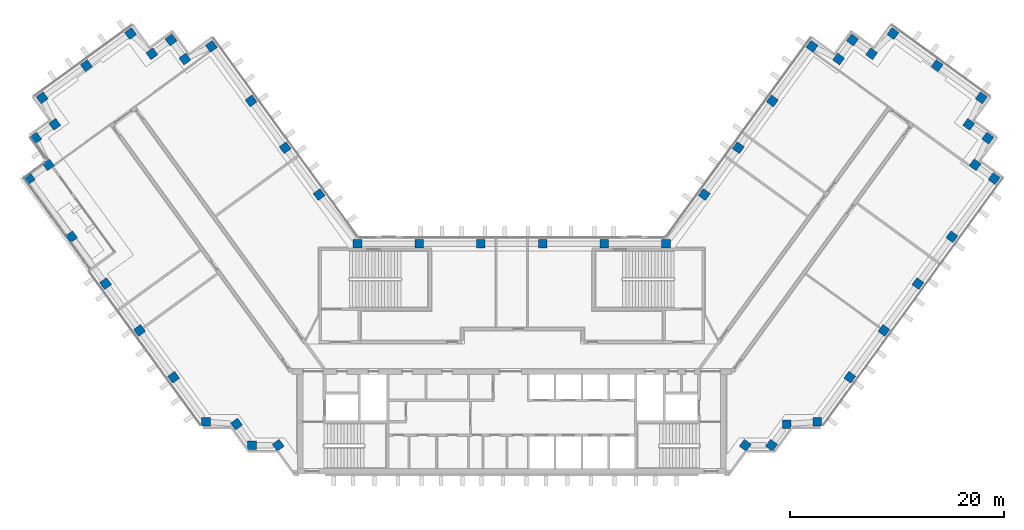
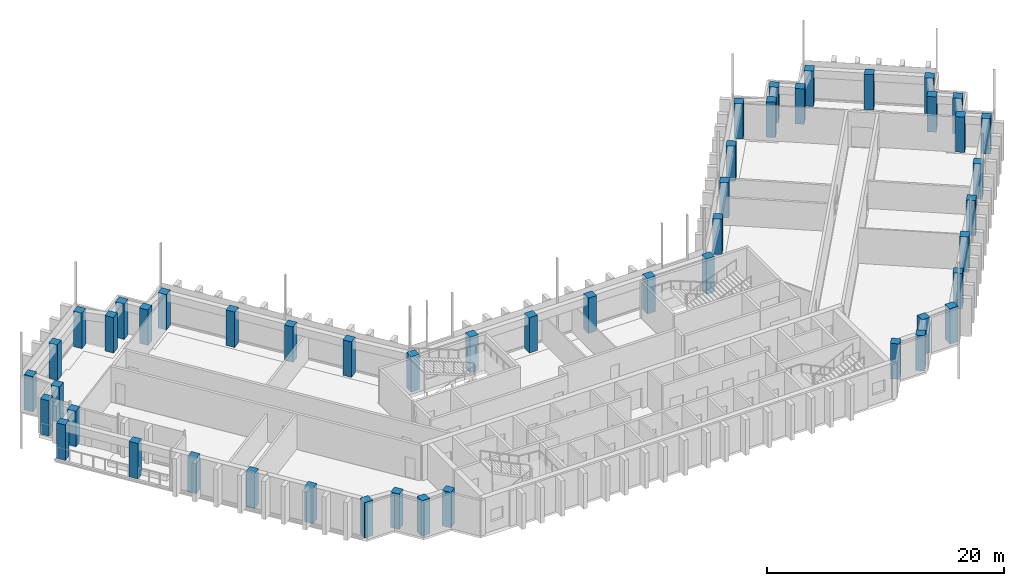
# One storey, part 1 of 13: 50 columns.
"""IFC4 building model written with IfcOpenShell, lengths in metres."""

from ifc_helpers import new_model, si_unit, direction, frame, origin, origin_2d, place, context, subcontext, project, spatial, rectangle, extrude, material, material_profile, profile_set, type_object, element, save


model = new_model("IFC4")

# Units and contexts
model_context = context("Model", 3, precision=1e-05, world=origin(), true_north=direction((0.0, 1.0)))
body_context = subcontext(model_context, "Body", "Model", "MODEL_VIEW")
ifc_project = project(units=[si_unit("LENGTHUNIT", "METRE"), si_unit("AREAUNIT", "SQUARE_METRE"), si_unit("VOLUMEUNIT", "CUBIC_METRE"), si_unit("PLANEANGLEUNIT", "RADIAN"), si_unit("MASSUNIT", "GRAM", prefix="KILO")], contexts=[model_context])

# Site, building, storey
site_placement = place(None, origin())
site = spatial("IfcSite", under=ifc_project, at=site_placement, CompositionType="ELEMENT")
building_placement = place(site_placement, origin())
building = spatial("IfcBuilding", under=site, at=building_placement, Name="Quipu Civic Tower", CompositionType="ELEMENT")
storey_placement = place(building_placement, frame((0.0, 0.0, 148.0)))
storey = spatial("IfcBuildingStorey", under=building, at=storey_placement, Name="L34", CompositionType="ELEMENT", Elevation=148.0)

# Columns
ifc_material = material(Name="Concrete C60/75", Category="concrete")
ifc_material_profile = material_profile(ifc_material, rectangle(XDim=0.800048828125, YDim=0.800048828125, at=origin_2d()), Name="RC800x800")
ifc_profile_set = profile_set([ifc_material_profile], Name="Concrete C60/75")
column_type = type_object("IfcColumnType", Name="Perimeter column RC 800x800 C60/75", PredefinedType="COLUMN", material=ifc_profile_set)
for number, where, z_axis, x_axis, name in (
    (1, (-17.9736328125, 15.074951171875, 0.0), (0.0, 0.0, 1.0), (-0.587785252292, 0.809016994375, 0.0), "Column L34 W-IN-01"),
    (2, (-21.1474609375, 19.44384765625, 0.0), (0.0, 0.0, 1.0), (-0.587785252292, 0.809016994375, 0.0), "Column L34 W-IN-02"),
    (3, (-24.3212890625, 23.8125, 0.0), (0.0, 0.0, 1.0), (-0.587785252292, 0.809016994375, 0.0), "Column L34 W-IN-03"),
    (4, (-28.02001953125, 28.905029296875, 0.0), (0.0, 0.0, 1.0), (-0.809016994375, -0.587785252292, 0.0), "Column L34 T-Wi.0-W34"),
    (5, (-30.498779296875, 27.72265625, 0.0), (0.0, 0.0, 1.0), (-0.809016994375, -0.587785252292, 0.0), "Column L34 T-Wi.1-W34"),
    (6, (-31.794921875, 29.5, 0.0), (0.0, 0.0, 1.0), (-0.587785252292, 0.809016994375, 0.0), "Column L34 T-Wi.2-W34"),
    (7, (-33.573974609375, 28.20947265625, 0.0), (0.0, 0.0, 1.0), (-0.587785252292, 0.809016994375, 0.0), "Column L34 T-Wi.3-W34"),
    (8, (-35.56494140625, 30.10009765625, 0.0), (0.0, 0.0, 1.0), (-0.809016994375, -0.587785252292, 0.0), "Column L34 T-Wi.4-W34"),
    (9, (-39.690673828125, 27.10205078125, 0.0), (0.0, 0.0, 1.0), (-0.809016994375, -0.587785252292, 0.0), "Column L34 TIP-W-01-W34"),
    (10, (-43.81494140625, 24.10498046875, 0.0), (0.0, 0.0, 1.0), (-0.809016994375, -0.587785252292, 0.0), "Column L34 T-Wo.0-W34"),
    (11, (-42.635009765625, 21.626220703125, 0.0), (0.0, 0.0, 1.0), (-0.809016994375, -0.587785252292, 0.0), "Column L34 T-Wo.1-W34"),
    (12, (-44.4150390625, 20.3349609375, 0.0), (0.0, 0.0, 1.0), (0.587785252292, -0.809016994375, 0.0), "Column L34 T-Wo.2-W34"),
    (13, (-43.23095703125, 17.8544921875, 0.0), (0.0, 0.0, 1.0), (0.587785252292, -0.809016994375, 0.0), "Column L34 T-Wo.3-W34"),
    (14, (-45.010009765625, 16.56005859375, 0.0), (0.0, 0.0, 1.0), (0.587785252292, -0.809016994375, 0.0), "Column L34 T-Wo.4-W34"),
    (15, (-41.0703125, 11.137451171875, 0.0), (0.0, 0.0, 1.0), (0.587785252292, -0.809016994375, 0.0), "Column L34 W-OUT-04"),
    (16, (-37.896240234375, 6.768798828125, 0.0), (0.0, 0.0, 1.0), (0.587785252292, -0.809016994375, 0.0), "Column L34 W-OUT-03"),
    (17, (-34.722412109375, 2.39990234375, 0.0), (0.0, 0.0, 1.0), (0.587785252292, -0.809016994375, 0.0), "Column L34 W-OUT-02"),
    (18, (-31.54833984375, -1.96875, 0.0), (0.0, 0.0, 1.0), (0.587785252292, -0.809016994375, 0.0), "Column L34 W-OUT-01"),
    (19, (-28.52490234375, -6.1298828125, 0.0), (0.0, 0.0, 1.0), (1.0, 0.0, 0.0), "Column L34 J-Wo.0"),
    (20, (-25.67431640625, -6.3369140625, 0.0), (0.0, 0.0, 1.0), (0.587785252292, -0.809016994375, 0.0), "Column L34 J-Wo.1"),
    (21, (-24.235107421875, -8.31494140625, 0.0), (0.0, 0.0, 1.0), (1.0, 0.0, 0.0), "Column L34 J-Wo.2"),
    (22, (-21.791748046875, -8.31494140625, 0.0), (0.0, 0.0, 1.0), (0.587785252292, -0.809016994375, 0.0), "Column L34 J-Wo.3"),
    (23, (21.791748046875, -8.31494140625, 0.0), (0.0, 0.0, 1.0), (0.587785252292, 0.809016994375, 0.0), "Column L34 J-Eo.1"),
    (24, (24.235107421875, -8.31494140625, 0.0), (0.0, 0.0, 1.0), (0.587785252292, 0.809016994375, 0.0), "Column L34 J-Eo.2"),
    (25, (25.67431640625, -6.3369140625, 0.0), (0.0, 0.0, 1.0), (1.0, 0.0, 0.0), "Column L34 J-Eo.3"),
    (26, (28.52490234375, -6.1298828125, 0.0), (0.0, 0.0, 1.0), (1.0, 0.0, 0.0), "Column L34 J-Eo.4"),
    (27, (31.54833984375, -1.96875, 0.0), (0.0, 0.0, 1.0), (0.587785252292, 0.809016994375, 0.0), "Column L34 E-OUT-01"),
    (28, (34.722412109375, 2.39990234375, 0.0), (0.0, 0.0, 1.0), (0.587785252292, 0.809016994375, 0.0), "Column L34 E-OUT-02"),
    (29, (37.896240234375, 6.768798828125, 0.0), (0.0, 0.0, 1.0), (0.587785252292, 0.809016994375, 0.0), "Column L34 E-OUT-03"),
    (30, (41.0703125, 11.137451171875, 0.0), (0.0, 0.0, 1.0), (0.587785252292, 0.809016994375, 0.0), "Column L34 E-OUT-04"),
    (31, (45.010009765625, 16.56005859375, 0.0), (0.0, 0.0, 1.0), (0.587785252292, 0.809016994375, 0.0), "Column L34 T-Eo.0-E34"),
    (32, (43.23095703125, 17.8544921875, 0.0), (0.0, 0.0, 1.0), (0.587785252292, 0.809016994375, 0.0), "Column L34 T-Eo.1-E34"),
    (33, (44.4150390625, 20.3349609375, 0.0), (0.0, 0.0, 1.0), (0.587785252292, 0.809016994375, 0.0), "Column L34 T-Eo.2-E34"),
    (34, (42.635009765625, 21.626220703125, 0.0), (0.0, 0.0, 1.0), (-0.809016994375, 0.587785252292, 0.0), "Column L34 T-Eo.3-E34"),
    (35, (43.81494140625, 24.10498046875, 0.0), (0.0, 0.0, 1.0), (-0.809016994375, 0.587785252292, 0.0), "Column L34 T-Eo.4-E34"),
    (36, (39.690673828125, 27.10205078125, 0.0), (0.0, 0.0, 1.0), (-0.809016994375, 0.587785252292, 0.0), "Column L34 TIP-E-01-E34"),
    (37, (35.56494140625, 30.10009765625, 0.0), (0.0, 0.0, 1.0), (-0.587785252292, -0.809016994375, 0.0), "Column L34 T-Ei.0-E34"),
    (38, (33.573974609375, 28.20947265625, 0.0), (0.0, 0.0, 1.0), (-0.809016994375, 0.587785252292, 0.0), "Column L34 T-Ei.1-E34"),
    (39, (31.794921875, 29.5, 0.0), (0.0, 0.0, 1.0), (-0.587785252292, -0.809016994375, 0.0), "Column L34 T-Ei.2-E34"),
    (40, (30.498779296875, 27.72265625, 0.0), (0.0, 0.0, 1.0), (-0.809016994375, 0.587785252292, 0.0), "Column L34 T-Ei.3-E34"),
    (41, (28.02001953125, 28.905029296875, 0.0), (0.0, 0.0, 1.0), (-0.809016994375, 0.587785252292, 0.0), "Column L34 T-Ei.4-E34"),
    (42, (24.3212890625, 23.8125, 0.0), (0.0, 0.0, 1.0), (-0.587785252292, -0.809016994375, 0.0), "Column L34 E-IN-03"),
    (43, (21.1474609375, 19.44384765625, 0.0), (0.0, 0.0, 1.0), (-0.587785252292, -0.809016994375, 0.0), "Column L34 E-IN-02"),
    (44, (17.9736328125, 15.074951171875, 0.0), (0.0, 0.0, 1.0), (-0.587785252292, -0.809016994375, 0.0), "Column L34 E-IN-01"),
    (45, (14.395263671875, 10.5, 0.0), (0.0, 0.0, 1.0), (-1.0, 0.0, 0.0), "Column L34 J-Ei.0"),
    (46, (8.63720703125, 10.5, 0.0), (0.0, 0.0, 1.0), (-1.0, 0.0, 0.0), "Column L34 FRONT-01"),
    (47, (2.87890625, 10.5, 0.0), (0.0, 0.0, 1.0), (-1.0, 0.0, 0.0), "Column L34 FRONT-02"),
    (48, (-2.87890625, 10.5, 0.0), (0.0, 0.0, 1.0), (-1.0, 0.0, 0.0), "Column L34 FRONT-03"),
    (49, (-8.63720703125, 10.5, 0.0), (0.0, 0.0, 1.0), (-1.0, 0.0, 0.0), "Column L34 FRONT-04"),
    (50, (-14.395263671875, 10.5, 0.0), (0.0, 0.0, 1.0), (-1.0, 0.0, 0.0), "Column L34 J-Wi.0"),
):
    element("IfcColumn", number, at=place(storey_placement, frame(where, z_axis=z_axis, x_axis=x_axis)), inside=storey, type_object=column_type, Name=name, PredefinedType="COLUMN", context=body_context, shape_type="SweptSolid", body=[
        extrude(rectangle(XDim=0.800048828125, YDim=0.800048828125, at=origin_2d()), origin(), (0.0, 0.0, 1.0), 3.64990234375),
    ])

save(model, "model.ifc")
